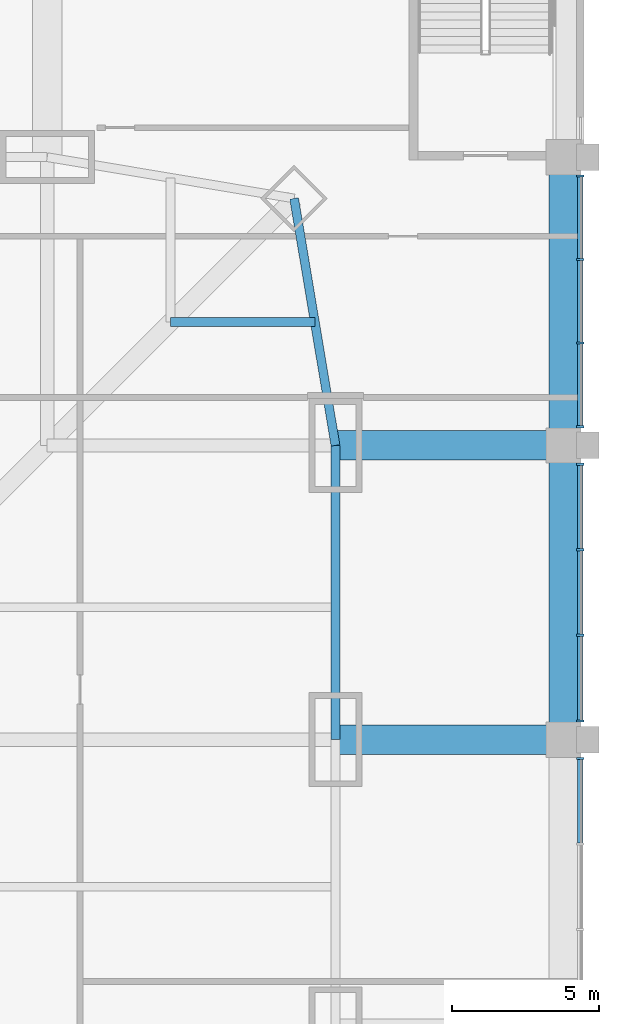
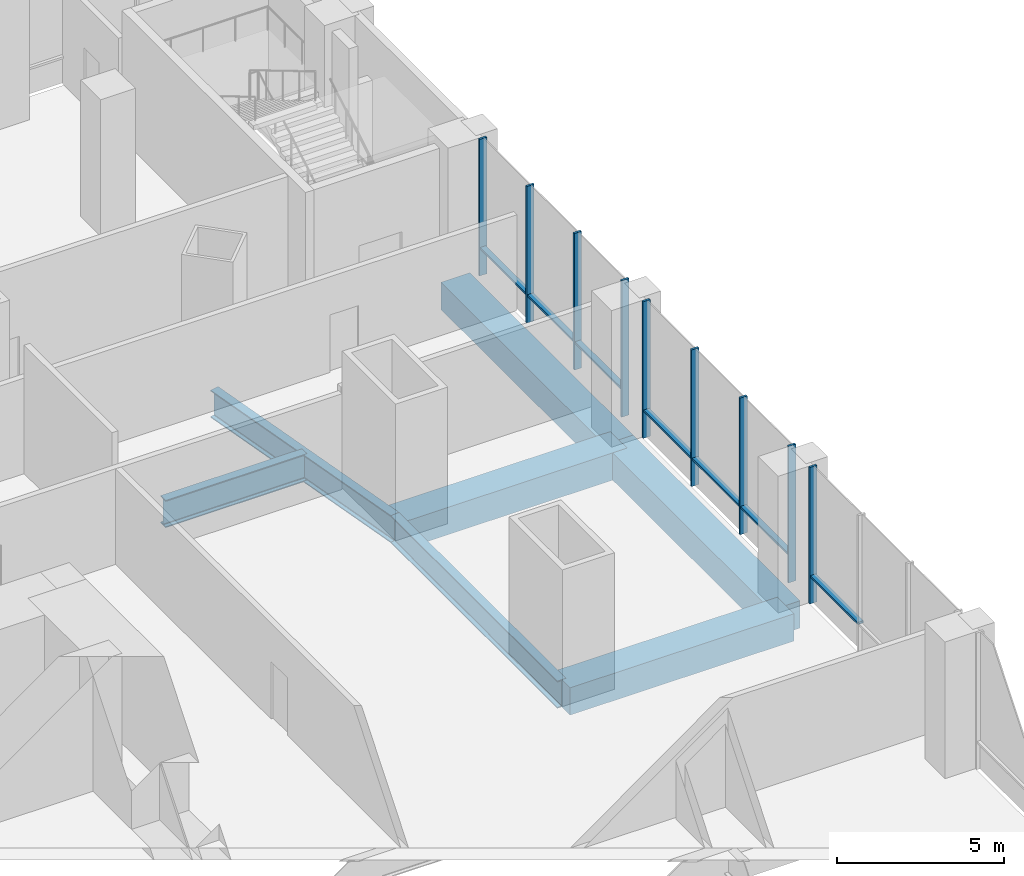
# One storey, part 9 of 24: 16 members, 7 beams, 3 elements without a shape of their own.
"""IFC4 building model written with IfcOpenShell, lengths in metres."""

from ifc_helpers import new_model, si_unit, direction, frame, origin, origin_2d, place, context, subcontext, project, spatial, rectangle, i_section, extrude, material, material_profile, profile_set, type_object, element, aggregate, save


model = new_model("IFC4")

# Units and contexts
model_context = context("Model", 3, precision=1e-05, world=origin(), true_north=direction((0.0, 1.0)))
body_context = subcontext(model_context, "Body", "Model", "MODEL_VIEW")
ifc_project = project(units=[si_unit("LENGTHUNIT", "METRE"), si_unit("AREAUNIT", "SQUARE_METRE"), si_unit("VOLUMEUNIT", "CUBIC_METRE"), si_unit("PLANEANGLEUNIT", "RADIAN"), si_unit("MASSUNIT", "GRAM", prefix="KILO")], contexts=[model_context])

# Site, building, storey
site_placement = place(None, origin())
site = spatial("IfcSite", under=ifc_project, at=site_placement, CompositionType="ELEMENT")
building_placement = place(site_placement, origin())
building = spatial("IfcBuilding", under=site, at=building_placement, Name="Khuree Lantern Residences", CompositionType="ELEMENT")
storey_placement = place(building_placement, frame((0.0, 0.0, 11.0)))
storey = spatial("IfcBuildingStorey", under=building, at=storey_placement, Name="L02", CompositionType="ELEMENT", Elevation=11.0)

# Beams
ifc_material_1 = material(Name="Steel S355", Category="steel")
ifc_material_profile_1 = material_profile(ifc_material_1, i_section(OverallWidth=0.300048828125, OverallDepth=1.0, WebThickness=0.01904296875, FlangeThickness=0.035888671875, FilletRadius=0.030029296875, at=origin_2d()), Name="HE 1000 B")
ifc_profile_set_1 = profile_set([ifc_material_profile_1], Name="Steel S355")
beam_type_1 = type_object("IfcBeamType", Name="B-02 SECONDARY BEAM HE 1000 B", PredefinedType="BEAM", material=ifc_profile_set_1)
beam_1_placement = place(storey_placement, frame((29.09716796875, 24.197021484375, -0.800048828125), z_axis=(-1.0, 0.0, 0.0), x_axis=(0.0, -1.0, 0.0)))
element("IfcBeam", 1, at=beam_1_placement, inside=storey, type_object=beam_type_1, Name="Secondary beam E1", PredefinedType="BEAM", context=body_context, shape_type="SweptSolid", body=[
    extrude(i_section(OverallWidth=0.300048828125, OverallDepth=1.0, WebThickness=0.01904296875, FlangeThickness=0.035888671875, FilletRadius=0.030029296875, at=origin_2d()), origin(), (0.0, 0.0, 1.0), 4.900146484375),
])
ifc_material_profile_2 = material_profile(ifc_material_1, i_section(OverallWidth=0.300048828125, OverallDepth=1.0, WebThickness=0.01904296875, FlangeThickness=0.035888671875, FilletRadius=0.030029296875, at=origin_2d()), Name="HE 1000 B")
ifc_profile_set_2 = profile_set([ifc_material_profile_2], Name="Steel S355")
beam_type_2 = type_object("IfcBeamType", Name="E-02 SPANDREL BEAM HE 1000 B", PredefinedType="SPANDREL", material=ifc_profile_set_2)
beam_2_placement = place(storey_placement, frame((28.39404296875, 28.39404296875, -0.800048828125), z_axis=(0.165199022349, -0.986260251158, 0.0), x_axis=(0.986260251158, 0.165199022349, 0.0)))
element("IfcBeam", 2, at=beam_2_placement, inside=storey, type_object=beam_type_2, Name="Spandrel beam E1", PredefinedType="SPANDREL", context=body_context, shape_type="SweptSolid", body=[
    extrude(i_section(OverallWidth=0.300048828125, OverallDepth=1.0, WebThickness=0.01904296875, FlangeThickness=0.035888671875, FilletRadius=0.030029296875, at=origin_2d()), origin(), (0.0, 0.0, 1.0), 8.510986328125),
])
beam_3_placement = place(storey_placement, frame((29.800048828125, 20.0, -0.800048828125), z_axis=(0.0, -1.0, 0.0), x_axis=(1.0, 0.0, 0.0)))
element("IfcBeam", 3, at=beam_3_placement, inside=storey, type_object=beam_type_2, Name="Spandrel beam E2", PredefinedType="SPANDREL", context=body_context, shape_type="SweptSolid", body=[
    extrude(i_section(OverallWidth=0.300048828125, OverallDepth=1.0, WebThickness=0.01904296875, FlangeThickness=0.035888671875, FilletRadius=0.030029296875, at=origin_2d()), origin(), (0.0, 0.0, 1.0), 10.0),
])

# Curtain wall, member
ifc_material_2 = material(Name="Bronze anodised aluminium", Category="aluminium")
curtain_wall_type = type_object("IfcCurtainWallType", Name="CW-P PODIUM STOREFRONT CURTAIN WALL", PredefinedType="USERDEFINED", material=ifc_material_2)
curtain_wall_1_placement = place(storey_placement, origin())
curtain_wall_1 = element("IfcCurtainWall", 4, at=curtain_wall_1_placement, inside=storey, type_object=curtain_wall_type, Name="L02 EAST FACE BAY 4 STOREFRONT", ObjectType="Storefront curtain wall", PredefinedType="USERDEFINED")
ifc_material_profile_3 = material_profile(ifc_material_2, rectangle(XDim=0.074951171875, YDim=0.25, at=origin_2d()), Name="M5 75X250")
ifc_profile_set_3 = profile_set([ifc_material_profile_3], Name="Bronze anodised aluminium")
member_type_1 = type_object("IfcMemberType", Name="MULLION M5 STOREFRONT 75X250", PredefinedType="MULLION", material=ifc_profile_set_3)
member_1_placement = place(storey_placement, frame((38.125, 9.362548828125, 0.0), z_axis=(0.0, 0.0, 1.0), x_axis=(0.0, 1.0, 0.0)))
member_1 = element("IfcMember", 5, at=member_1_placement, type_object=member_type_1, Name="L02 EAST FACE BAY 4 MULLION 4", PredefinedType="MULLION", context=body_context, shape_type="SweptSolid", body=[
    extrude(rectangle(XDim=0.074951171875, YDim=0.25, at=origin_2d()), origin(), (0.0, 0.0, 1.0), 5.0),
])

# Curtain wall, members
curtain_wall_2_placement = place(storey_placement, origin())
curtain_wall_2 = element("IfcCurtainWall", 6, at=curtain_wall_2_placement, inside=storey, type_object=curtain_wall_type, Name="L02 EAST FACE BAY 5 STOREFRONT", ObjectType="Storefront curtain wall", PredefinedType="USERDEFINED")
member_2_placement = place(storey_placement, frame((38.125, 10.637451171875, 0.0), z_axis=(0.0, 0.0, 1.0), x_axis=(0.0, 1.0, 0.0)))
member_2 = element("IfcMember", 7, at=member_2_placement, type_object=member_type_1, Name="L02 EAST FACE BAY 5 MULLION 1", PredefinedType="MULLION", context=body_context, shape_type="SweptSolid", body=[
    extrude(rectangle(XDim=0.074951171875, YDim=0.25, at=origin_2d()), origin(), (0.0, 0.0, 1.0), 5.0),
])
member_3_placement = place(storey_placement, frame((38.125, 13.5458984375, 0.0), z_axis=(0.0, 0.0, 1.0), x_axis=(0.0, 1.0, 0.0)))
member_3 = element("IfcMember", 8, at=member_3_placement, type_object=member_type_1, Name="L02 EAST FACE BAY 5 MULLION 2", PredefinedType="MULLION", context=body_context, shape_type="SweptSolid", body=[
    extrude(rectangle(XDim=0.074951171875, YDim=0.25, at=origin_2d()), origin(), (0.0, 0.0, 1.0), 5.0),
])
member_4_placement = place(storey_placement, frame((38.125, 16.4541015625, 0.0), z_axis=(0.0, 0.0, 1.0), x_axis=(0.0, 1.0, 0.0)))
member_4 = element("IfcMember", 9, at=member_4_placement, type_object=member_type_1, Name="L02 EAST FACE BAY 5 MULLION 3", PredefinedType="MULLION", context=body_context, shape_type="SweptSolid", body=[
    extrude(rectangle(XDim=0.074951171875, YDim=0.25, at=origin_2d()), origin(), (0.0, 0.0, 1.0), 5.0),
])
member_5_placement = place(storey_placement, frame((38.125, 19.362548828125, 0.0), z_axis=(0.0, 0.0, 1.0), x_axis=(0.0, 1.0, 0.0)))
member_5 = element("IfcMember", 10, at=member_5_placement, type_object=member_type_1, Name="L02 EAST FACE BAY 5 MULLION 4", PredefinedType="MULLION", context=body_context, shape_type="SweptSolid", body=[
    extrude(rectangle(XDim=0.074951171875, YDim=0.25, at=origin_2d()), origin(), (0.0, 0.0, 1.0), 5.0),
])

curtain_wall_3_placement = place(storey_placement, origin())
curtain_wall_3 = element("IfcCurtainWall", 11, at=curtain_wall_3_placement, inside=storey, type_object=curtain_wall_type, Name="L02 EAST FACE BAY 6 STOREFRONT", ObjectType="Storefront curtain wall", PredefinedType="USERDEFINED")
member_6_placement = place(storey_placement, frame((38.125, 20.637451171875, 0.0), z_axis=(0.0, 0.0, 1.0), x_axis=(0.0, 1.0, 0.0)))
member_6 = element("IfcMember", 12, at=member_6_placement, type_object=member_type_1, Name="L02 EAST FACE BAY 6 MULLION 1", PredefinedType="MULLION", context=body_context, shape_type="SweptSolid", body=[
    extrude(rectangle(XDim=0.074951171875, YDim=0.25, at=origin_2d()), origin(), (0.0, 0.0, 1.0), 5.0),
])
member_7_placement = place(storey_placement, frame((38.125, 23.479248046875, 0.0), z_axis=(0.0, 0.0, 1.0), x_axis=(0.0, 1.0, 0.0)))
member_7 = element("IfcMember", 13, at=member_7_placement, type_object=member_type_1, Name="L02 EAST FACE BAY 6 MULLION 2", PredefinedType="MULLION", context=body_context, shape_type="SweptSolid", body=[
    extrude(rectangle(XDim=0.074951171875, YDim=0.25, at=origin_2d()), origin(), (0.0, 0.0, 1.0), 5.0),
])
member_8_placement = place(storey_placement, frame((38.125, 26.32080078125, 0.0), z_axis=(0.0, 0.0, 1.0), x_axis=(0.0, 1.0, 0.0)))
member_8 = element("IfcMember", 14, at=member_8_placement, type_object=member_type_1, Name="L02 EAST FACE BAY 6 MULLION 3", PredefinedType="MULLION", context=body_context, shape_type="SweptSolid", body=[
    extrude(rectangle(XDim=0.074951171875, YDim=0.25, at=origin_2d()), origin(), (0.0, 0.0, 1.0), 5.0),
])
member_9_placement = place(storey_placement, frame((38.125, 29.16259765625, 0.0), z_axis=(0.0, 0.0, 1.0), x_axis=(0.0, 1.0, 0.0)))
member_9 = element("IfcMember", 15, at=member_9_placement, type_object=member_type_1, Name="L02 EAST FACE BAY 6 MULLION 4", PredefinedType="MULLION", context=body_context, shape_type="SweptSolid", body=[
    extrude(rectangle(XDim=0.074951171875, YDim=0.25, at=origin_2d()), origin(), (0.0, 0.0, 1.0), 5.0),
])

# Beams
ifc_material_3 = material(Name="Concrete C40/50", Category="concrete")
ifc_material_profile_4 = material_profile(ifc_material_3, rectangle(XDim=1.0, YDim=1.0, at=origin_2d()), Name="RC 1000X1000")
ifc_profile_set_4 = profile_set([ifc_material_profile_4], Name="Concrete C40/50")
beam_type_3 = type_object("IfcBeamType", Name="RB3 PODIUM BEAM RC 1000X1000", PredefinedType="BEAM", material=ifc_profile_set_4)
for number, where, z_axis, x_axis, name in (
    (16, (29.800048828125, 10.0, -0.800048828125), (1.0, 0.0, 0.0), (0.0, 1.0, 0.0), "Podium beam RB-8"),
    (17, (29.800048828125, 20.0, -0.800048828125), (1.0, 0.0, 0.0), (0.0, 1.0, 0.0), "Podium beam RB-10"),
):
    element("IfcBeam", number, at=place(storey_placement, frame(where, z_axis=z_axis, x_axis=x_axis)), inside=storey, type_object=beam_type_3, Name=name, PredefinedType="BEAM", context=body_context, shape_type="SweptSolid", body=[
        extrude(rectangle(XDim=1.0, YDim=1.0, at=origin_2d()), origin(), (0.0, 0.0, 1.0), 7.75),
    ])
beam_4_placement = place(storey_placement, frame((37.550048828125, 10.0, -0.800048828125), z_axis=(0.0, 1.0, 0.0), x_axis=(-1.0, 0.0, 0.0)))
element("IfcBeam", 18, at=beam_4_placement, inside=storey, type_object=beam_type_3, Name="Podium beam RB-49", PredefinedType="BEAM", context=body_context, shape_type="SweptSolid", body=[
    extrude(rectangle(XDim=1.0, YDim=1.0, at=origin_2d()), origin(), (0.0, 0.0, 1.0), 10.0),
])
beam_5_placement = place(storey_placement, frame((37.550048828125, 20.0, -0.800048828125), z_axis=(0.0, 1.0, 0.0), x_axis=(-1.0, 0.0, 0.0)))
element("IfcBeam", 19, at=beam_5_placement, inside=storey, type_object=beam_type_3, Name="Podium beam RB-50", PredefinedType="BEAM", context=body_context, shape_type="SweptSolid", body=[
    extrude(rectangle(XDim=1.0, YDim=1.0, at=origin_2d()), origin(), (0.0, 0.0, 1.0), 9.800048828125),
])

# Member
ifc_material_profile_5 = material_profile(ifc_material_2, rectangle(XDim=0.199951171875, YDim=0.074951171875, at=origin_2d()), Name="T5 200X75")
ifc_profile_set_5 = profile_set([ifc_material_profile_5], Name="Bronze anodised aluminium")
member_type_2 = type_object("IfcMemberType", Name="TRANSOM T5 STOREFRONT 200X75", PredefinedType="USERDEFINED", material=ifc_profile_set_5)
member_10_placement = place(storey_placement, frame((38.1201171875, 6.49169921875, 1.0), z_axis=(0.0, 1.0, 0.0), x_axis=(-1.0, 0.0, 0.0)))
member_10 = element("IfcMember", 20, at=member_10_placement, type_object=member_type_2, Name="L02 EAST FACE BAY 4 TRANSOM 3", ObjectType="Transom", PredefinedType="USERDEFINED", context=body_context, shape_type="SweptSolid", body=[
    extrude(rectangle(XDim=0.199951171875, YDim=0.074951171875, at=origin_2d()), origin(), (0.0, 0.0, 1.0), 2.833251953125),
])

aggregate(curtain_wall_1, [member_1, member_10])

member_11_placement = place(storey_placement, frame((38.1201171875, 10.675048828125, 1.0), z_axis=(0.0, 1.0, 0.0), x_axis=(-1.0, 0.0, 0.0)))
member_11 = element("IfcMember", 21, at=member_11_placement, type_object=member_type_2, Name="L02 EAST FACE BAY 5 TRANSOM 1", ObjectType="Transom", PredefinedType="USERDEFINED", context=body_context, shape_type="SweptSolid", body=[
    extrude(rectangle(XDim=0.199951171875, YDim=0.074951171875, at=origin_2d()), origin(), (0.0, 0.0, 1.0), 2.833251953125),
])

member_12_placement = place(storey_placement, frame((38.1201171875, 13.583251953125, 1.0), z_axis=(0.0, 1.0, 0.0), x_axis=(-1.0, 0.0, 0.0)))
member_12 = element("IfcMember", 22, at=member_12_placement, type_object=member_type_2, Name="L02 EAST FACE BAY 5 TRANSOM 2", ObjectType="Transom", PredefinedType="USERDEFINED", context=body_context, shape_type="SweptSolid", body=[
    extrude(rectangle(XDim=0.199951171875, YDim=0.074951171875, at=origin_2d()), origin(), (0.0, 0.0, 1.0), 2.83349609375),
])

member_13_placement = place(storey_placement, frame((38.1201171875, 16.49169921875, 1.0), z_axis=(0.0, 1.0, 0.0), x_axis=(-1.0, 0.0, 0.0)))
member_13 = element("IfcMember", 23, at=member_13_placement, type_object=member_type_2, Name="L02 EAST FACE BAY 5 TRANSOM 3", ObjectType="Transom", PredefinedType="USERDEFINED", context=body_context, shape_type="SweptSolid", body=[
    extrude(rectangle(XDim=0.199951171875, YDim=0.074951171875, at=origin_2d()), origin(), (0.0, 0.0, 1.0), 2.833251953125),
])

aggregate(curtain_wall_2, [member_2, member_3, member_4, member_5, member_11, member_12, member_13])

member_14_placement = place(storey_placement, frame((38.1201171875, 20.675048828125, 1.0), z_axis=(0.0, 1.0, 0.0), x_axis=(-1.0, 0.0, 0.0)))
member_14 = element("IfcMember", 24, at=member_14_placement, type_object=member_type_2, Name="L02 EAST FACE BAY 6 TRANSOM 1", ObjectType="Transom", PredefinedType="USERDEFINED", context=body_context, shape_type="SweptSolid", body=[
    extrude(rectangle(XDim=0.199951171875, YDim=0.074951171875, at=origin_2d()), origin(), (0.0, 0.0, 1.0), 2.7666015625),
])

member_15_placement = place(storey_placement, frame((38.1201171875, 23.5166015625, 1.0), z_axis=(0.0, 1.0, 0.0), x_axis=(-1.0, 0.0, 0.0)))
member_15 = element("IfcMember", 25, at=member_15_placement, type_object=member_type_2, Name="L02 EAST FACE BAY 6 TRANSOM 2", ObjectType="Transom", PredefinedType="USERDEFINED", context=body_context, shape_type="SweptSolid", body=[
    extrude(rectangle(XDim=0.199951171875, YDim=0.074951171875, at=origin_2d()), origin(), (0.0, 0.0, 1.0), 2.766845703125),
])

member_16_placement = place(storey_placement, frame((38.1201171875, 26.3583984375, 1.0), z_axis=(0.0, 1.0, 0.0), x_axis=(-1.0, 0.0, 0.0)))
member_16 = element("IfcMember", 26, at=member_16_placement, type_object=member_type_2, Name="L02 EAST FACE BAY 6 TRANSOM 3", ObjectType="Transom", PredefinedType="USERDEFINED", context=body_context, shape_type="SweptSolid", body=[
    extrude(rectangle(XDim=0.199951171875, YDim=0.074951171875, at=origin_2d()), origin(), (0.0, 0.0, 1.0), 2.7666015625),
])

aggregate(curtain_wall_3, [member_6, member_7, member_8, member_9, member_14, member_15, member_16])

save(model, "model.ifc")
